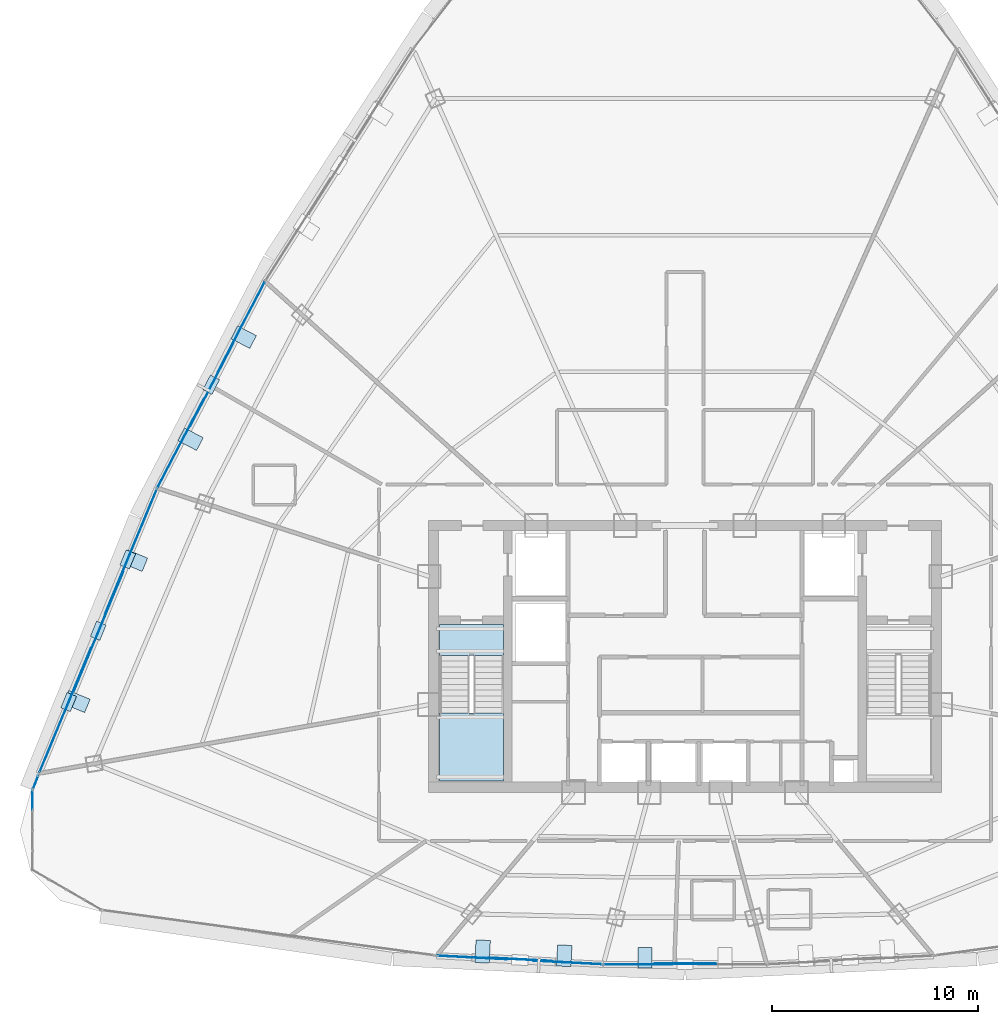
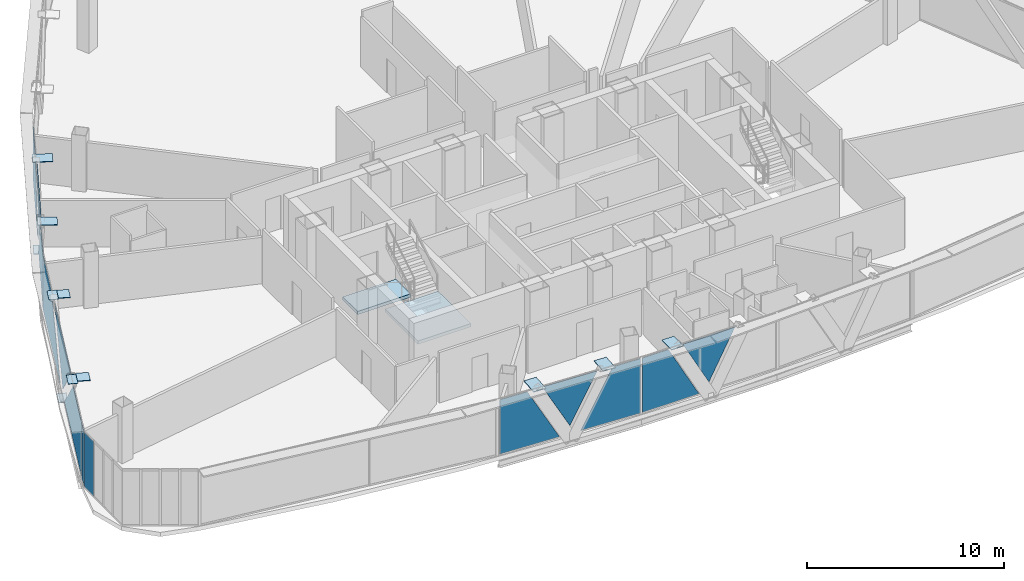
# One storey, part 30 of 39: 24 plates, 2 slabs, 7 elements without a shape of their own.
"""IFC4 building model written with IfcOpenShell, lengths in metres."""

from ifc_helpers import new_model, si_unit, direction, frame, origin, origin_2d, place, context, subcontext, project, spatial, polyline, rectangle, outline, extrude, source, transform, mapped, material, layer, layer_set, type_object, element, aggregate, save


model = new_model("IFC4")

# Units and contexts
model_context = context("Model", 3, precision=1e-05, world=origin(), true_north=direction((0.0, 1.0)))
body_context = subcontext(model_context, "Body", "Model", "MODEL_VIEW")
ifc_project = project(units=[si_unit("LENGTHUNIT", "METRE"), si_unit("AREAUNIT", "SQUARE_METRE"), si_unit("VOLUMEUNIT", "CUBIC_METRE"), si_unit("PLANEANGLEUNIT", "RADIAN"), si_unit("MASSUNIT", "GRAM", prefix="KILO"), si_unit("THERMODYNAMICTEMPERATUREUNIT", "KELVIN"), si_unit("POWERUNIT", "WATT")], contexts=[model_context])

# Site, building, storey
site_placement = place(None, origin())
site = spatial("IfcSite", under=ifc_project, at=site_placement, CompositionType="ELEMENT")
building_placement = place(site_placement, origin())
building = spatial("IfcBuilding", under=site, at=building_placement, Name="Yunzhuo Pagoda Commons", CompositionType="ELEMENT")
storey_placement = place(building_placement, frame((0.0, 0.0, 296.2099609375)))
storey = spatial("IfcBuildingStorey", under=building, at=storey_placement, Name="L74", CompositionType="ELEMENT", Elevation=296.2099609375)

# Curtain wall, plates
ifc_material_1 = material(Name="Anodized aluminium 6063-T6", Category="aluminium")
ifc_layer_1 = layer(ifc_material_1, 0.139892578125)
ifc_layer_set_1 = layer_set([ifc_layer_1], Name="Anodized aluminium 6063-T6")
curtain_wall_type_1 = type_object("IfcCurtainWallType", Name="CW-HI High-Zone Ribbon Curtain Wall", PredefinedType="NOTDEFINED", material=ifc_layer_set_1)
curtain_wall_1_placement = place(storey_placement, origin())
curtain_wall_1 = element("IfcCurtainWall", 1, at=curtain_wall_1_placement, inside=storey, type_object=curtain_wall_type_1, Name="L74 curtain wall CW-L74-F1B2", PredefinedType="NOTDEFINED")
ifc_material_2 = material(Name="Tempered low-e double glazing", Category="glass")
ifc_layer_2 = layer(ifc_material_2, 0.02587890625)
ifc_layer_set_2 = layer_set([ifc_layer_2], Name="Tempered low-e double glazing")
plate_type_1 = type_object("IfcPlateType", Name="CW-HI-P Low-E Double Glazing 26", PredefinedType="CURTAIN_PANEL", material=ifc_layer_set_2)
plate_1_placement = place(storey_placement, frame((37.697509765625, 19.255859375, 1.735107421875), z_axis=(-0.052189625547, -0.998637192871, 0.0), x_axis=(0.998637192871, -0.052189625547, 0.0)))
plate_1 = element("IfcPlate", 2, at=plate_1_placement, type_object=plate_type_1, Name="CW panel 1.1 lite 1", PredefinedType="CURTAIN_PANEL", context=body_context, shape_type="SweptSolid", body=[
    extrude(outline(polyline([(-1.694091796875, -1.679931640625), (1.694091796875, -1.679931640625), (-0.130859375, 1.679931640625), (-1.694091796875, 1.679931640625), (-1.694091796875, -1.679931640625)])), origin(), (0.0, 0.0, 1.0), 0.028076171875),
])
plate_2_placement = place(storey_placement, frame((39.993408203125, 19.166015625, 1.9755859375), z_axis=(-0.052189625547, -0.998637192871, 0.0), x_axis=(0.998637192871, -0.052189625547, 0.0)))
plate_2 = element("IfcPlate", 3, at=plate_2_placement, type_object=plate_type_1, Name="CW panel 1.1 lite 2", PredefinedType="CURTAIN_PANEL", context=body_context, shape_type="SweptSolid", body=[
    extrude(outline(polyline([(-1.5634765625, 1.439453125), (0.0, -1.439453125), (1.5634765625, 1.439453125), (-1.5634765625, 1.439453125)])), origin(), (0.0, 0.0, 1.0), 0.028076171875),
])
plate_3_placement = place(storey_placement, frame((42.286376953125, 19.01611328125, 1.735107421875), z_axis=(-0.052189625547, -0.998637192871, 0.0), x_axis=(0.998637192871, -0.052189625547, 0.0)))
plate_3 = element("IfcPlate", 4, at=plate_3_placement, type_object=plate_type_1, Name="CW panel 1.1 lite 3", PredefinedType="CURTAIN_PANEL", context=body_context, shape_type="SweptSolid", body=[
    extrude(outline(polyline([(-1.694091796875, -1.679931640625), (1.694091796875, -1.679931640625), (1.694091796875, 1.679931640625), (0.130859375, 1.679931640625), (-1.694091796875, -1.679931640625)])), origin(), (0.0, 0.0, 1.0), 0.028076171875),
])
aggregate(curtain_wall_1, [plate_1, plate_2, plate_3])

curtain_wall_2_placement = place(storey_placement, origin())
curtain_wall_2 = element("IfcCurtainWall", 5, at=curtain_wall_2_placement, inside=storey, type_object=curtain_wall_type_1, Name="L74 curtain wall CW-L74-F1B3", PredefinedType="NOTDEFINED")
plate_4_placement = place(storey_placement, frame((45.749755859375, 18.9248046875, 1.735107421875), z_axis=(0.0, -1.0, 0.0), x_axis=(1.0, 0.0, 0.0)))
plate_4 = element("IfcPlate", 6, at=plate_4_placement, type_object=plate_type_1, Name="CW panel 1.1 lite 1", PredefinedType="CURTAIN_PANEL", context=body_context, shape_type="SweptSolid", body=[
    extrude(outline(polyline([(-1.652587890625, -1.679931640625), (1.652587890625, -1.679931640625), (-0.13232421875, 1.679931640625), (-1.652587890625, 1.679931640625), (-1.652587890625, -1.679931640625)])), origin(), (0.0, 0.0, 1.0), 0.028076171875),
])
plate_5_placement = place(storey_placement, frame((48.0, 18.95458984375, 1.982421875), z_axis=(0.0, -1.0, 0.0), x_axis=(1.0, 0.0, 0.0)))
plate_5 = element("IfcPlate", 7, at=plate_5_placement, type_object=plate_type_1, Name="CW panel 1.1 lite 2", PredefinedType="CURTAIN_PANEL", context=body_context, shape_type="SweptSolid", body=[
    extrude(outline(polyline([(-1.52197265625, 1.4326171875), (0.0, -1.4326171875), (1.52197265625, 1.4326171875), (-1.52197265625, 1.4326171875)])), origin(), (0.0, 0.0, 1.0), 0.028076171875),
])
aggregate(curtain_wall_2, [plate_4, plate_5])

curtain_wall_3_placement = place(storey_placement, origin())
curtain_wall_3 = element("IfcCurtainWall", 8, at=curtain_wall_3_placement, inside=storey, type_object=curtain_wall_type_1, Name="L74 curtain wall CW-L74-F3B3", PredefinedType="NOTDEFINED")
plate_6_placement = place(storey_placement, frame((26.484619140625, 49.8212890625, 1.735107421875), z_axis=(-0.886761092291, 0.462228044582, 0.0), x_axis=(-0.462228044582, -0.886761092291, 0.0)))
plate_6 = element("IfcPlate", 9, at=plate_6_placement, type_object=plate_type_1, Name="CW panel 1.1 lite 1", PredefinedType="CURTAIN_PANEL", context=body_context, shape_type="SweptSolid", body=[
    extrude(outline(polyline([(-2.43896484375, -1.679931640625), (2.43896484375, -1.679931640625), (-0.107421875, 1.679931640625), (-2.43896484375, 1.679931640625), (-2.43896484375, -1.679931640625)])), origin(), (0.0, 0.0, 1.0), 0.028076171875),
])
plate_7_placement = place(storey_placement, frame((25.05322265625, 47.01025390625, 1.89208984375), z_axis=(-0.886761092291, 0.462228044582, 0.0), x_axis=(-0.462228044582, -0.886761092291, 0.0)))
plate_7 = element("IfcPlate", 10, at=plate_7_placement, type_object=plate_type_1, Name="CW panel 1.1 lite 2", PredefinedType="CURTAIN_PANEL", context=body_context, shape_type="SweptSolid", body=[
    extrude(outline(polyline([(-2.30810546875, 1.52294921875), (0.0, -1.52294921875), (2.30810546875, 1.52294921875), (-2.30810546875, 1.52294921875)])), origin(), (0.0, 0.0, 1.0), 0.028076171875),
])
plate_8_placement = place(storey_placement, frame((23.568359375, 44.226806640625, 1.735107421875), z_axis=(-0.886761092291, 0.462228044582, 0.0), x_axis=(-0.462228044582, -0.886761092291, 0.0)))
plate_8 = element("IfcPlate", 11, at=plate_8_placement, type_object=plate_type_1, Name="CW panel 1.1 lite 3", PredefinedType="CURTAIN_PANEL", context=body_context, shape_type="SweptSolid", body=[
    extrude(outline(polyline([(-2.43896484375, -1.679931640625), (2.43896484375, -1.679931640625), (2.43896484375, 1.679931640625), (0.107421875, 1.679931640625), (-2.43896484375, -1.679931640625)])), origin(), (0.0, 0.0, 1.0), 0.028076171875),
])
aggregate(curtain_wall_3, [plate_6, plate_7, plate_8])

curtain_wall_4_placement = place(storey_placement, origin())
curtain_wall_4 = element("IfcCurtainWall", 12, at=curtain_wall_4_placement, inside=storey, type_object=curtain_wall_type_1, Name="L74 curtain wall CW-L74-F3B4", PredefinedType="NOTDEFINED")
plate_9_placement = place(storey_placement, frame((21.1328125, 38.9189453125, 1.735107421875), z_axis=(-0.923899046183, 0.382636318796, 0.0), x_axis=(-0.382636318796, -0.923899046183, 0.0)))
plate_9 = element("IfcPlate", 13, at=plate_9_placement, type_object=plate_type_1, Name="CW panel 1.1 lite 1", PredefinedType="CURTAIN_PANEL", context=body_context, shape_type="SweptSolid", body=[
    extrude(outline(polyline([(-3.2880859375, -1.679931640625), (3.2880859375, -1.679931640625), (-0.0859375, 1.679931640625), (-3.2880859375, 1.679931640625), (-3.2880859375, -1.679931640625)])), origin(), (0.0, 0.0, 1.0), 0.028076171875),
])
plate_10_placement = place(storey_placement, frame((19.5751953125, 35.079833984375, 1.845703125), z_axis=(-0.923899046183, 0.382636318796, 0.0), x_axis=(-0.382636318796, -0.923899046183, 0.0)))
plate_10 = element("IfcPlate", 14, at=plate_10_placement, type_object=plate_type_1, Name="CW panel 1.1 lite 2", PredefinedType="CURTAIN_PANEL", context=body_context, shape_type="SweptSolid", body=[
    extrude(outline(polyline([(-3.15185546875, 1.5693359375), (0.0, -1.5693359375), (3.15185546875, 1.5693359375), (-3.15185546875, 1.5693359375)])), origin(), (0.0, 0.0, 1.0), 0.028076171875),
])
plate_11_placement = place(storey_placement, frame((17.962158203125, 31.263427734375, 1.735107421875), z_axis=(-0.923899046183, 0.382636318796, 0.0), x_axis=(-0.382636318796, -0.923899046183, 0.0)))
plate_11 = element("IfcPlate", 15, at=plate_11_placement, type_object=plate_type_1, Name="CW panel 1.1 lite 3", PredefinedType="CURTAIN_PANEL", context=body_context, shape_type="SweptSolid", body=[
    extrude(outline(polyline([(-3.2880859375, -1.679931640625), (3.2880859375, -1.679931640625), (3.2880859375, 1.679931640625), (0.085693359375, 1.679931640625), (-3.2880859375, -1.679931640625)])), origin(), (0.0, 0.0, 1.0), 0.028076171875),
])
aggregate(curtain_wall_4, [plate_9, plate_10, plate_11])

# Stair, slabs
ifc_material_3 = material(Name="Concrete C40", Category="concrete")
stair_type = type_object("IfcStairType", Name="ST-C1 Core Smokeproof Stair ST1", PredefinedType="HALF_TURN_STAIR", material=ifc_material_3)
stair_placement = place(storey_placement, origin())
stair = element("IfcStair", 16, at=stair_placement, inside=storey, type_object=stair_type, Name="L74 Core smokeproof stair ST1", PredefinedType="HALF_TURN_STAIR")
ifc_layer_3 = layer(ifc_material_3, 0.199951171875)
ifc_layer_set_3 = layer_set([ifc_layer_3], Name="Concrete C40")
slab_type = type_object("IfcSlabType", Name="SL-LND1 Stair Landing Slab 200", PredefinedType="LANDING", material=ifc_layer_set_3)
slab_1_placement = place(storey_placement, frame((0.0, 0.0, 1.6650390625)))
slab_1 = element("IfcSlab", 17, at=slab_1_placement, type_object=slab_type, Name="ST1 landing 1", PredefinedType="LANDING", context=body_context, shape_type="SweptSolid", body=[
    extrude(outline(polyline([(36.10009765625, 31.10009765625), (36.10009765625, 27.800048828125), (39.199951171875, 27.800048828125), (39.199951171875, 31.10009765625), (36.10009765625, 31.10009765625)])), origin(), (0.0, 0.0, 1.0), 0.199951171875),
])
slab_2_placement = place(storey_placement, frame((0.0, 0.0, -0.199951171875)))
slab_2 = element("IfcSlab", 18, at=slab_2_placement, type_object=slab_type, Name="ST1 floor landing L74", PredefinedType="LANDING", context=body_context, shape_type="SweptSolid", body=[
    extrude(outline(polyline([(36.10009765625, 35.39990234375), (36.10009765625, 33.89990234375), (39.199951171875, 33.89990234375), (39.199951171875, 35.39990234375), (36.10009765625, 35.39990234375)])), origin(), (0.0, 0.0, 1.0), 0.199951171875),
])
aggregate(stair, [slab_1, slab_2])

# Plates
ifc_material_4 = material(Name="Structural steel Q355B", Category="steel")
ifc_layer_4 = layer(ifc_material_4, 0.028076171875)
ifc_layer_set_4 = layer_set([ifc_layer_4], Name="Structural steel Q355B")
plate_type_2 = type_object("IfcPlateType", Name="SP-ND1 Lattice Node Cap Plate 800x500x28", PredefinedType="USERDEFINED", material=ifc_layer_set_4)
shared_shape_1 = source(origin(), body_context, "Body", "SweptSolid", [
    extrude(rectangle(XDim=0.800048828125, YDim=0.5, at=origin_2d()), origin(), (0.0, 0.0, 1.0), 0.028076171875),
])
for number, where, z_axis, x_axis, name in (
    (19, (25.01416015625, 47.03076171875, -0.27392578125), (0.0, 0.0, 1.0), (-0.462228464672, -0.886760873318, 0.0), "L74 diamond node plate F3.2A"),
    (20, (19.53466796875, 35.096435546875, -0.27392578125), (0.0, 0.0, 1.0), (-0.382635057621, -0.923899568503, 0.0), "L74 diamond node plate F3.3A"),
):
    element("IfcPlate", number, at=place(storey_placement, frame(where, z_axis=z_axis, x_axis=x_axis)), inside=storey, type_object=plate_type_2, Name=name, ObjectType="STIFFENER_PLATE", PredefinedType="USERDEFINED", context=body_context, shape_type="MappedRepresentation", body=[
        mapped(shared_shape_1, transform((0.0, 0.0, 0.0), scale=1.0)),
    ])
ifc_layer_5 = layer(ifc_material_4, 0.028076171875)
ifc_layer_set_5 = layer_set([ifc_layer_5], Name="Structural steel Q355B")
plate_type_3 = type_object("IfcPlateType", Name="EP-DL1 Diamond Brace End Plate 800x500x28", PredefinedType="USERDEFINED", material=ifc_layer_set_5)
for number, where, z_axis, x_axis, name in (
    (21, (20.9677734375, 38.55712890625, 3.4677734375), (0.0, 0.0, 1.0), (-0.382635057621, -0.923899568503, 0.0), "L74 diamond brace end plate F3.3L"),
    (22, (18.101318359375, 31.635986328125, 3.4677734375), (0.0, 0.0, 1.0), (-0.382635057621, -0.923899568503, 0.0), "L74 diamond brace end plate F3.3R"),
):
    element("IfcPlate", number, at=place(storey_placement, frame(where, z_axis=z_axis, x_axis=x_axis)), inside=storey, type_object=plate_type_3, Name=name, ObjectType="END_PLATE", PredefinedType="USERDEFINED", context=body_context, shape_type="MappedRepresentation", body=[
        mapped(shared_shape_1, transform((0.0, 0.0, 0.0), scale=1.0)),
    ])
shared_shape_2 = source(origin(), body_context, "Body", "SweptSolid", [
    extrude(rectangle(XDim=0.699951171875, YDim=0.9912109375, at=origin_2d()), origin(), (0.0, 0.0, 1.0), 0.035888671875),
])
plate_12_placement = place(storey_placement, frame((46.06103515625, 19.228271484375, 3.43212890625), z_axis=(0.0, 0.0, 1.0), x_axis=(1.0, 0.0, 0.0)))
element("IfcPlate", 23, at=plate_12_placement, inside=storey, type_object=plate_type_2, Name="L74 setback lattice tie plate F1.2L", ObjectType="STIFFENER_PLATE", PredefinedType="USERDEFINED", context=body_context, shape_type="MappedRepresentation", body=[
    mapped(shared_shape_2, transform((0.0, 0.0, 0.0), scale=1.0)),
])
shared_shape_3 = source(origin(), body_context, "Body", "SweptSolid", [
    extrude(rectangle(XDim=0.699951171875, YDim=1.022216796875, at=origin_2d()), origin(), (0.0, 0.0, 1.0), 0.035888671875),
])
plate_13_placement = place(storey_placement, frame((24.0146484375, 44.3876953125, 3.43212890625), z_axis=(0.0, 0.0, 1.0), x_axis=(-0.462228464672, -0.886760873318, 0.0)))
element("IfcPlate", 24, at=plate_13_placement, inside=storey, type_object=plate_type_2, Name="L74 setback lattice tie plate F3.2R", ObjectType="STIFFENER_PLATE", PredefinedType="USERDEFINED", context=body_context, shape_type="MappedRepresentation", body=[
    mapped(shared_shape_3, transform((0.0, 0.0, 0.0), scale=1.0)),
])
shared_shape_4 = source(origin(), body_context, "Body", "SweptSolid", [
    extrude(rectangle(XDim=0.699951171875, YDim=1.101318359375, at=origin_2d()), origin(), (0.0, 0.0, 1.0), 0.035888671875),
])
plate_14_placement = place(storey_placement, frame((38.181884765625, 19.53662109375, 3.43212890625), z_axis=(0.0, 0.0, 1.0), x_axis=(0.998636832498, -0.052196520746, 0.0)))
element("IfcPlate", 25, at=plate_14_placement, inside=storey, type_object=plate_type_2, Name="L74 setback lattice tie plate F1.1L", ObjectType="STIFFENER_PLATE", PredefinedType="USERDEFINED", context=body_context, shape_type="MappedRepresentation", body=[
    mapped(shared_shape_4, transform((0.0, 0.0, 0.0), scale=1.0)),
])
shared_shape_5 = source(origin(), body_context, "Body", "SweptSolid", [
    extrude(rectangle(XDim=0.699951171875, YDim=1.029541015625, at=origin_2d()), origin(), (0.0, 0.0, 1.0), 0.035888671875),
])
plate_15_placement = place(storey_placement, frame((42.14208984375, 19.3310546875, 3.43212890625), z_axis=(0.0, 0.0, 1.0), x_axis=(0.998636832498, -0.052196520746, 0.0)))
element("IfcPlate", 26, at=plate_15_placement, inside=storey, type_object=plate_type_2, Name="L74 setback lattice tie plate F1.1R", ObjectType="STIFFENER_PLATE", PredefinedType="USERDEFINED", context=body_context, shape_type="MappedRepresentation", body=[
    mapped(shared_shape_5, transform((0.0, 0.0, 0.0), scale=1.0)),
])
shared_shape_6 = source(origin(), body_context, "Body", "SweptSolid", [
    extrude(rectangle(XDim=0.699951171875, YDim=1.127685546875, at=origin_2d()), origin(), (0.0, 0.0, 1.0), 0.035888671875),
])
plate_16_placement = place(storey_placement, frame((18.4892578125, 31.663818359375, 3.43212890625), z_axis=(0.0, 0.0, 1.0), x_axis=(-0.382635057621, -0.923899568503, 0.0)))
element("IfcPlate", 27, at=plate_16_placement, inside=storey, type_object=plate_type_2, Name="L74 setback lattice tie plate F3.3R", ObjectType="STIFFENER_PLATE", PredefinedType="USERDEFINED", context=body_context, shape_type="MappedRepresentation", body=[
    mapped(shared_shape_6, transform((0.0, 0.0, 0.0), scale=1.0)),
])
shared_shape_7 = source(origin(), body_context, "Body", "SweptSolid", [
    extrude(rectangle(XDim=0.699951171875, YDim=1.052001953125, at=origin_2d()), origin(), (0.0, 0.0, 1.0), 0.035888671875),
])
plate_17_placement = place(storey_placement, frame((21.3134765625, 38.49609375, 3.43212890625), z_axis=(0.0, 0.0, 1.0), x_axis=(-0.382635057621, -0.923899568503, 0.0)))
element("IfcPlate", 28, at=plate_17_placement, inside=storey, type_object=plate_type_2, Name="L74 setback lattice tie plate F3.3L", ObjectType="STIFFENER_PLATE", PredefinedType="USERDEFINED", context=body_context, shape_type="MappedRepresentation", body=[
    mapped(shared_shape_7, transform((0.0, 0.0, 0.0), scale=1.0)),
])
shared_shape_8 = source(origin(), body_context, "Body", "SweptSolid", [
    extrude(rectangle(XDim=0.699951171875, YDim=1.023681640625, at=origin_2d()), origin(), (0.0, 0.0, 1.0), 0.035888671875),
])
plate_18_placement = place(storey_placement, frame((26.593017578125, 49.3388671875, 3.43212890625), z_axis=(0.0, 0.0, 1.0), x_axis=(-0.462228464672, -0.886760873318, 0.0)))
element("IfcPlate", 29, at=plate_18_placement, inside=storey, type_object=plate_type_2, Name="L74 setback lattice tie plate F3.2L", ObjectType="STIFFENER_PLATE", PredefinedType="USERDEFINED", context=body_context, shape_type="MappedRepresentation", body=[
    mapped(shared_shape_8, transform((0.0, 0.0, 0.0), scale=1.0)),
])

# Curtain wall, plate
curtain_wall_5_placement = place(storey_placement, origin())
curtain_wall_5 = element("IfcCurtainWall", 30, at=curtain_wall_5_placement, inside=storey, type_object=curtain_wall_type_1, Name="L74 curtain wall CW-L74-F3B5", PredefinedType="NOTDEFINED")
shared_shape_9 = source(origin(), body_context, "Body", "SweptSolid", [
    extrude(rectangle(XDim=0.6689453125, YDim=0.028076171875, at=origin_2d()), origin(), (0.0, 0.0, 1.0), 3.360107421875),
])
plate_19_placement = place(storey_placement, frame((16.498046875, 27.73779296875, 0.05517578125), z_axis=(0.0, 0.0, 1.0), x_axis=(-0.36265423017, -0.931923767987, 0.0)))
plate_19 = element("IfcPlate", 31, at=plate_19_placement, type_object=plate_type_1, Name="CW panel 1.1", PredefinedType="CURTAIN_PANEL", context=body_context, shape_type="MappedRepresentation", body=[
    mapped(shared_shape_9, transform((0.0, 0.0, 0.0), scale=1.0)),
])
aggregate(curtain_wall_5, [plate_19])

ifc_layer_6 = layer(ifc_material_1, 0.1298828125)
ifc_layer_set_6 = layer_set([ifc_layer_6], Name="Anodized aluminium 6063-T6")
curtain_wall_type_2 = type_object("IfcCurtainWallType", Name="CW-VTX Rounded Corner Curtain Wall", PredefinedType="NOTDEFINED", material=ifc_layer_set_6)
curtain_wall_6_placement = place(storey_placement, origin())
curtain_wall_6 = element("IfcCurtainWall", 32, at=curtain_wall_6_placement, inside=storey, type_object=curtain_wall_type_2, Name="L74 curtain wall CW-L74-VTX1S1", PredefinedType="NOTDEFINED")
ifc_layer_7 = layer(ifc_material_2, 0.02587890625)
ifc_layer_set_7 = layer_set([ifc_layer_7], Name="Tempered low-e double glazing")
plate_type_4 = type_object("IfcPlateType", Name="CW-VTX-P Low-E Double Glazing 26", PredefinedType="CURTAIN_PANEL", material=ifc_layer_set_7)
shared_shape_10 = source(origin(), body_context, "Body", "SweptSolid", [
    extrude(rectangle(XDim=0.8994140625, YDim=0.028076171875, at=origin_2d()), origin(), (0.0, 0.0, 1.0), 3.360107421875),
])
plate_20_placement = place(storey_placement, frame((16.35302734375, 26.865478515625, 0.05517578125), z_axis=(0.0, 0.0, 1.0), x_axis=(-0.003589955472, -0.999993556089, 0.0)))
plate_20 = element("IfcPlate", 33, at=plate_20_placement, type_object=plate_type_4, Name="CW panel 1.1", PredefinedType="CURTAIN_PANEL", context=body_context, shape_type="MappedRepresentation", body=[
    mapped(shared_shape_10, transform((0.0, 0.0, 0.0), scale=1.0)),
])
aggregate(curtain_wall_6, [plate_20])

save(model, "model.ifc")
